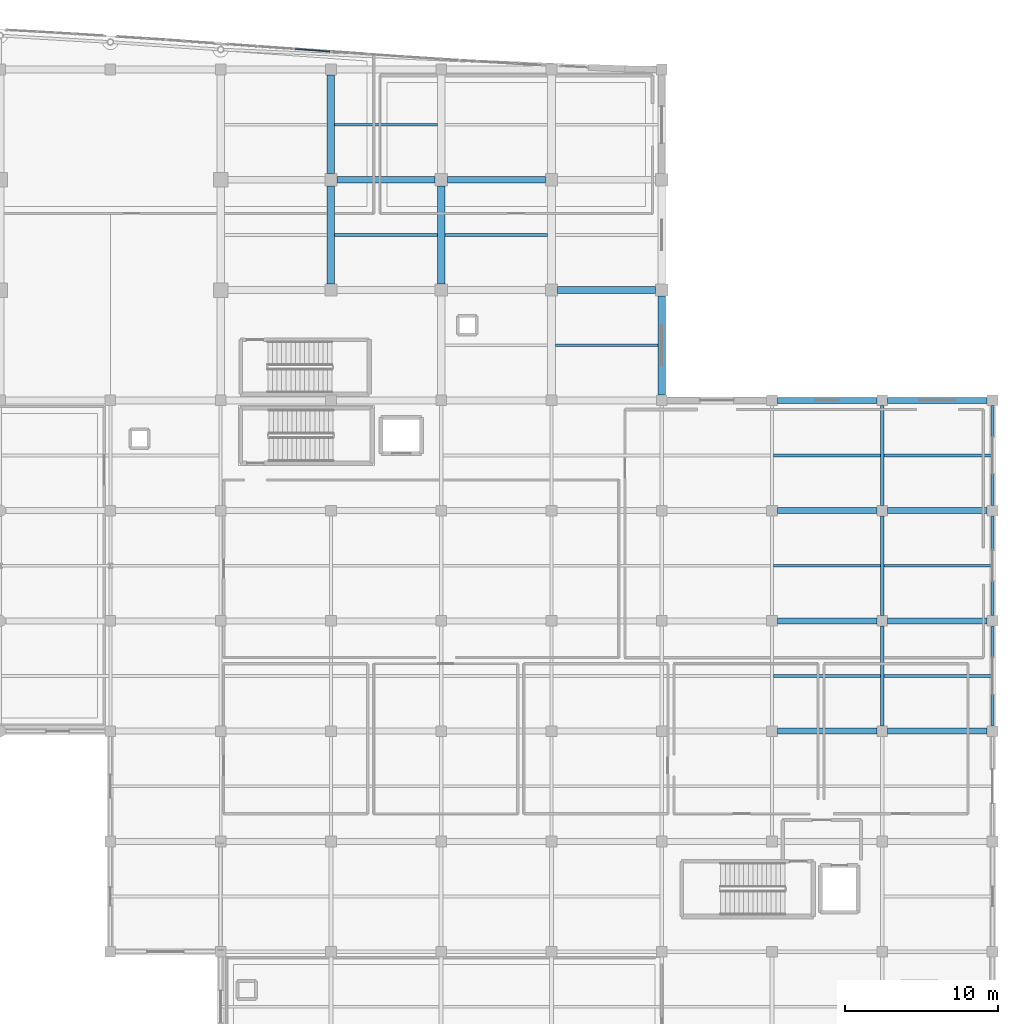
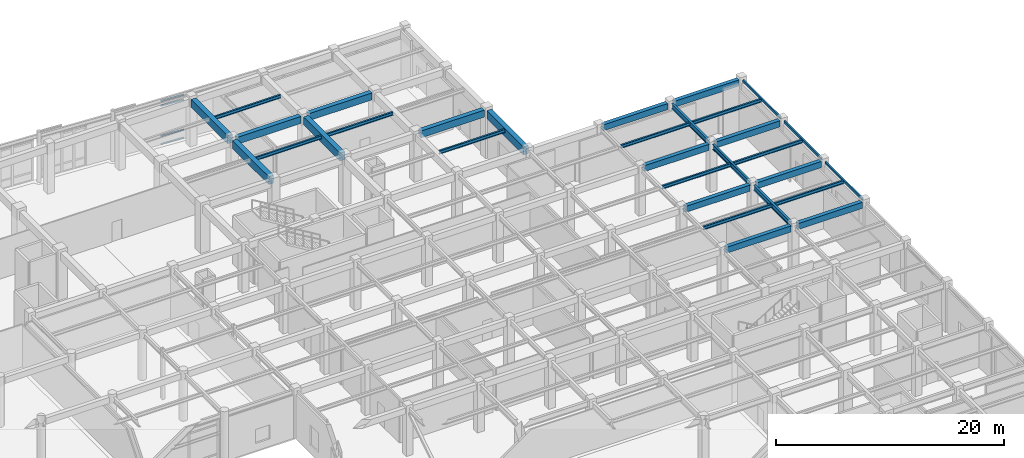
# One storey, part 55 of 102: 31 beams, 4 members, 1 element without a shape of its own.
"""IFC4 building model written with IfcOpenShell, lengths in metres."""

from ifc_helpers import new_model, si_unit, direction, frame, origin, origin_2d, place, context, subcontext, project, spatial, rectangle, hollow_rectangle, i_section, extrude, material, layer, layer_set, material_profile, profile_set, type_object, element, aggregate, save


model = new_model("IFC4")

# Units and contexts
model_context = context("Model", 3, precision=1e-05, world=origin(), true_north=direction((0.0, 1.0)))
body_context = subcontext(model_context, "Body", "Model", "MODEL_VIEW")
ifc_project = project(units=[si_unit("LENGTHUNIT", "METRE"), si_unit("AREAUNIT", "SQUARE_METRE"), si_unit("VOLUMEUNIT", "CUBIC_METRE"), si_unit("PLANEANGLEUNIT", "RADIAN"), si_unit("MASSUNIT", "GRAM", prefix="KILO")], contexts=[model_context])

# Site, building, storey
site_placement = place(None, origin())
site = spatial("IfcSite", under=ifc_project, at=site_placement, CompositionType="ELEMENT")
building_placement = place(site_placement, origin())
building = spatial("IfcBuilding", under=site, at=building_placement, Name="Carrowvane Square Congress Hotel", CompositionType="ELEMENT")
storey_placement = place(building_placement, origin())
storey = spatial("IfcBuildingStorey", under=building, at=storey_placement, Name="L00", CompositionType="ELEMENT", Elevation=0.0)

# Beams
ifc_material_1 = material(Name="Concrete C35/45", Category="concrete")
ifc_material_profile_1 = material_profile(ifc_material_1, rectangle(XDim=0.39990234375, YDim=0.64990234375, at=origin_2d()), Name="RC 400x650")
ifc_profile_set_1 = profile_set([ifc_material_profile_1], Name="Concrete C35/45")
beam_type_1 = type_object("IfcBeamType", Name="BM-RC-400x650", PredefinedType="BEAM", material=ifc_profile_set_1)
for number, where, z_axis, x_axis, name in (
    (1, (170.35009765625, 70.199951171875, 4.77490234375), (1.0, 0.0, 0.0), (0.0, 1.0, 0.0), "L01 girder K/23-24"),
    (2, (177.550048828125, 70.199951171875, 4.77490234375), (1.0, 0.0, 0.0), (0.0, 1.0, 0.0), "L01 girder K/24-25"),
    (3, (170.35009765625, 77.39990234375, 4.77490234375), (1.0, 0.0, 0.0), (0.0, 1.0, 0.0), "L01 girder L/23-24"),
    (4, (177.550048828125, 77.39990234375, 4.77490234375), (1.0, 0.0, 0.0), (0.0, 1.0, 0.0), "L01 girder L/24-25"),
    (5, (170.35009765625, 84.60009765625, 4.77490234375), (1.0, 0.0, 0.0), (0.0, 1.0, 0.0), "L01 girder M/23-24"),
    (6, (177.550048828125, 84.60009765625, 4.77490234375), (1.0, 0.0, 0.0), (0.0, 1.0, 0.0), "L01 girder M/24-25"),
    (7, (170.35009765625, 91.800048828125, 4.77490234375), (1.0, 0.0, 0.0), (0.0, 1.0, 0.0), "L01 girder N/23-24"),
    (8, (177.550048828125, 91.800048828125, 4.77490234375), (1.0, 0.0, 0.0), (0.0, 1.0, 0.0), "L01 girder N/24-25"),
):
    element("IfcBeam", number, at=place(storey_placement, frame(where, z_axis=z_axis, x_axis=x_axis)), inside=storey, type_object=beam_type_1, Name=name, PredefinedType="BEAM", context=body_context, shape_type="SweptSolid", body=[
        extrude(rectangle(XDim=0.39990234375, YDim=0.64990234375, at=origin_2d()), origin(), (0.0, 0.0, 1.0), 6.5),
    ])
ifc_material_2 = material(Name="Concrete C35/45", Category="concrete")
ifc_material_profile_2 = material_profile(ifc_material_2, rectangle(XDim=0.449951171875, YDim=0.75, at=origin_2d()), Name="RC 450x750")
ifc_profile_set_2 = profile_set([ifc_material_profile_2], Name="Concrete C35/45")
beam_type_2 = type_object("IfcBeamType", Name="BM-RC-450x750", PredefinedType="USERDEFINED", material=ifc_profile_set_2)
for number, where, z_axis, x_axis, name in (
    (9, (156.0, 99.0, 4.72509765625), (1.0, 0.0, 0.0), (0.0, 1.0, 0.0), "L01 girder P/21-22"),
    (10, (141.60009765625, 106.199951171875, 4.72509765625), (1.0, 0.0, 0.0), (0.0, 1.0, 0.0), "L01 girder Q/19-20"),
    (11, (148.800048828125, 106.199951171875, 4.72509765625), (1.0, 0.0, 0.0), (0.0, 1.0, 0.0), "L01 girder Q/20-21"),
):
    element("IfcBeam", number, at=place(storey_placement, frame(where, z_axis=z_axis, x_axis=x_axis)), inside=storey, type_object=beam_type_2, Name=name, ObjectType="GIRDER", PredefinedType="USERDEFINED", context=body_context, shape_type="SweptSolid", body=[
        extrude(rectangle(XDim=0.449951171875, YDim=0.75, at=origin_2d()), origin(), (0.0, 0.0, 1.0), 6.39990234375),
    ])
ifc_material_3 = material(Name="Concrete C35/45", Category="concrete")
ifc_material_profile_3 = material_profile(ifc_material_3, rectangle(XDim=0.5, YDim=0.85009765625, at=origin_2d()), Name="RC 500x850")
ifc_profile_set_3 = profile_set([ifc_material_profile_3], Name="Concrete C35/45")
beam_type_3 = type_object("IfcBeamType", Name="BM-RC-500x850", PredefinedType="USERDEFINED", material=ifc_profile_set_3)
beam_1_placement = place(storey_placement, frame((141.199951171875, 99.39990234375, 4.675048828125), z_axis=(0.0, 1.0, 0.0), x_axis=(-1.0, 0.0, 0.0)))
element("IfcBeam", 12, at=beam_1_placement, inside=storey, type_object=beam_type_3, Name="L01 girder 19/P-Q", ObjectType="GIRDER", PredefinedType="USERDEFINED", context=body_context, shape_type="SweptSolid", body=[
    extrude(rectangle(XDim=0.5, YDim=0.85009765625, at=origin_2d()), origin(), (0.0, 0.0, 1.0), 6.400146484375),
])
beam_2_placement = place(storey_placement, frame((141.199951171875, 106.60009765625, 4.675048828125), z_axis=(0.0, 1.0, 0.0), x_axis=(-1.0, 0.0, 0.0)))
element("IfcBeam", 13, at=beam_2_placement, inside=storey, type_object=beam_type_3, Name="L01 girder 19/Q-R", ObjectType="GIRDER", PredefinedType="USERDEFINED", context=body_context, shape_type="SweptSolid", body=[
    extrude(rectangle(XDim=0.5, YDim=0.85009765625, at=origin_2d()), origin(), (0.0, 0.0, 1.0), 6.449951171875),
])
beam_3_placement = place(storey_placement, frame((148.39990234375, 99.39990234375, 4.675048828125), z_axis=(0.0, 1.0, 0.0), x_axis=(-1.0, 0.0, 0.0)))
element("IfcBeam", 14, at=beam_3_placement, inside=storey, type_object=beam_type_3, Name="L01 girder 20/P-Q", ObjectType="GIRDER", PredefinedType="USERDEFINED", context=body_context, shape_type="SweptSolid", body=[
    extrude(rectangle(XDim=0.5, YDim=0.85009765625, at=origin_2d()), origin(), (0.0, 0.0, 1.0), 6.400146484375),
])
beam_4_placement = place(storey_placement, frame((162.800048828125, 92.14990234375, 4.675048828125), z_axis=(0.0, 1.0, 0.0), x_axis=(-1.0, 0.0, 0.0)))
element("IfcBeam", 15, at=beam_4_placement, inside=storey, type_object=beam_type_3, Name="L01 girder 22/N-P", ObjectType="GIRDER", PredefinedType="USERDEFINED", context=body_context, shape_type="SweptSolid", body=[
    extrude(rectangle(XDim=0.5, YDim=0.85009765625, at=origin_2d()), origin(), (0.0, 0.0, 1.0), 6.4501953125),
])
ifc_material_4 = material(Name="Steel S355", Category="steel")
ifc_material_profile_4 = material_profile(ifc_material_4, hollow_rectangle(XDim=0.14990234375, YDim=0.25, WallThickness=0.012451171875, at=origin_2d()), Name="RHS 250x150x12.5")
ifc_profile_set_4 = profile_set([ifc_material_profile_4], Name="Steel S355")
beam_type_4 = type_object("IfcBeamType", Name="BM-ST-RHS250", PredefinedType="SPANDREL", material=ifc_profile_set_4)
for number, where, z_axis, x_axis, name in (
    (16, (184.39990234375, 70.550048828125, 4.97509765625), (0.0, 1.0, 0.0), (-1.0, 0.0, 0.0), "L01 girder 25/K-L"),
    (17, (184.39990234375, 77.75, 4.97509765625), (0.0, 1.0, 0.0), (-1.0, 0.0, 0.0), "L01 girder 25/L-M"),
    (18, (184.39990234375, 84.949951171875, 4.97509765625), (0.0, 1.0, 0.0), (-1.0, 0.0, 0.0), "L01 girder 25/M-N"),
):
    element("IfcBeam", number, at=place(storey_placement, frame(where, z_axis=z_axis, x_axis=x_axis)), inside=storey, type_object=beam_type_4, Name=name, PredefinedType="SPANDREL", context=body_context, shape_type="SweptSolid", body=[
        extrude(hollow_rectangle(XDim=0.14990234375, YDim=0.25, WallThickness=0.012451171875, at=origin_2d()), origin(), (0.0, 0.0, 1.0), 6.5),
    ])
ifc_material_5 = material(Name="Steel S355", Category="steel")
ifc_material_profile_5 = material_profile(ifc_material_5, i_section(OverallWidth=0.172119140625, OverallDepth=0.35791015625, WebThickness=0.008056640625, FlangeThickness=0.012939453125, FilletRadius=0.01025390625, at=origin_2d()), Name="UKB 356x171x57")
ifc_profile_set_5 = profile_set([ifc_material_profile_5], Name="Steel S355")
beam_type_5 = type_object("IfcBeamType", Name="BM-ST-UKB356", PredefinedType="JOIST", material=ifc_profile_set_5)
for number, where, z_axis, x_axis, name in (
    (19, (141.449951171875, 102.60009765625, 4.9208984375), (1.0, 0.0, 0.0), (0.0, 1.0, 0.0), "L01 secondary joist 19-20"),
    (20, (141.449951171875, 109.800048828125, 4.9208984375), (1.0, 0.0, 0.0), (0.0, 1.0, 0.0), "L01 secondary joist 19-20"),
):
    element("IfcBeam", number, at=place(storey_placement, frame(where, z_axis=z_axis, x_axis=x_axis)), inside=storey, type_object=beam_type_5, Name=name, PredefinedType="JOIST", context=body_context, shape_type="SweptSolid", body=[
        extrude(i_section(OverallWidth=0.172119140625, OverallDepth=0.35791015625, WebThickness=0.008056640625, FlangeThickness=0.012939453125, FilletRadius=0.01025390625, at=origin_2d()), origin(), (0.0, 0.0, 1.0), 6.699951171875),
    ])
beam_5_placement = place(storey_placement, frame((148.64990234375, 102.60009765625, 4.9208984375), z_axis=(1.0, 0.0, 0.0), x_axis=(0.0, 1.0, 0.0)))
element("IfcBeam", 21, at=beam_5_placement, inside=storey, type_object=beam_type_5, Name="L01 secondary joist 20-21", PredefinedType="JOIST", context=body_context, shape_type="SweptSolid", body=[
    extrude(i_section(OverallWidth=0.172119140625, OverallDepth=0.35791015625, WebThickness=0.008056640625, FlangeThickness=0.012939453125, FilletRadius=0.01025390625, at=origin_2d()), origin(), (0.0, 0.0, 1.0), 6.7001953125),
])
beam_6_placement = place(storey_placement, frame((155.85009765625, 95.39990234375, 4.9208984375), z_axis=(1.0, 0.0, 0.0), x_axis=(0.0, 1.0, 0.0)))
element("IfcBeam", 22, at=beam_6_placement, inside=storey, type_object=beam_type_5, Name="L01 secondary joist 21-22", PredefinedType="JOIST", context=body_context, shape_type="SweptSolid", body=[
    extrude(i_section(OverallWidth=0.172119140625, OverallDepth=0.35791015625, WebThickness=0.008056640625, FlangeThickness=0.012939453125, FilletRadius=0.01025390625, at=origin_2d()), origin(), (0.0, 0.0, 1.0), 6.699951171875),
])
for number, where, z_axis, x_axis, name in (
    (23, (170.10498046875, 73.800048828125, 4.9208984375), (1.0, 0.0, 0.0), (0.0, 1.0, 0.0), "L01 secondary joist 23-24"),
    (24, (170.10498046875, 81.0, 4.9208984375), (1.0, 0.0, 0.0), (0.0, 1.0, 0.0), "L01 secondary joist 23-24"),
    (25, (170.10498046875, 88.199951171875, 4.9208984375), (1.0, 0.0, 0.0), (0.0, 1.0, 0.0), "L01 secondary joist 23-24"),
):
    element("IfcBeam", number, at=place(storey_placement, frame(where, z_axis=z_axis, x_axis=x_axis)), inside=storey, type_object=beam_type_5, Name=name, PredefinedType="JOIST", context=body_context, shape_type="SweptSolid", body=[
        extrude(i_section(OverallWidth=0.172119140625, OverallDepth=0.35791015625, WebThickness=0.008056640625, FlangeThickness=0.012939453125, FilletRadius=0.01025390625, at=origin_2d()), origin(), (0.0, 0.0, 1.0), 6.989990234375),
    ])
for number, where, z_axis, x_axis, name in (
    (26, (177.304931640625, 73.800048828125, 4.9208984375), (1.0, 0.0, 0.0), (0.0, 1.0, 0.0), "L01 secondary joist 24-25"),
    (27, (177.304931640625, 81.0, 4.9208984375), (1.0, 0.0, 0.0), (0.0, 1.0, 0.0), "L01 secondary joist 24-25"),
    (28, (177.304931640625, 88.199951171875, 4.9208984375), (1.0, 0.0, 0.0), (0.0, 1.0, 0.0), "L01 secondary joist 24-25"),
):
    element("IfcBeam", number, at=place(storey_placement, frame(where, z_axis=z_axis, x_axis=x_axis)), inside=storey, type_object=beam_type_5, Name=name, PredefinedType="JOIST", context=body_context, shape_type="SweptSolid", body=[
        extrude(i_section(OverallWidth=0.172119140625, OverallDepth=0.35791015625, WebThickness=0.008056640625, FlangeThickness=0.012939453125, FilletRadius=0.01025390625, at=origin_2d()), origin(), (0.0, 0.0, 1.0), 7.02001953125),
    ])
ifc_material_6 = material(Name="Steel S355", Category="steel")
ifc_material_profile_6 = material_profile(ifc_material_6, i_section(OverallWidth=0.2099609375, OverallDepth=0.53662109375, WebThickness=0.0107421875, FlangeThickness=0.017333984375, FilletRadius=0.0126953125, at=origin_2d()), Name="UKB 533x210x101")
ifc_profile_set_6 = profile_set([ifc_material_profile_6], Name="Steel S355")
beam_type_6 = type_object("IfcBeamType", Name="BM-ST-UKB533", PredefinedType="USERDEFINED", material=ifc_profile_set_6)
for number, where, z_axis, x_axis, name in (
    (29, (177.199951171875, 70.550048828125, 4.83154296875), (0.0, 1.0, 0.0), (-1.0, 0.0, 0.0), "L01 girder 24/K-L"),
    (30, (177.199951171875, 77.75, 4.83154296875), (0.0, 1.0, 0.0), (-1.0, 0.0, 0.0), "L01 girder 24/L-M"),
    (31, (177.199951171875, 84.949951171875, 4.83154296875), (0.0, 1.0, 0.0), (-1.0, 0.0, 0.0), "L01 girder 24/M-N"),
):
    element("IfcBeam", number, at=place(storey_placement, frame(where, z_axis=z_axis, x_axis=x_axis)), inside=storey, type_object=beam_type_6, Name=name, ObjectType="GIRDER", PredefinedType="USERDEFINED", context=body_context, shape_type="SweptSolid", body=[
        extrude(i_section(OverallWidth=0.2099609375, OverallDepth=0.53662109375, WebThickness=0.0107421875, FlangeThickness=0.017333984375, FilletRadius=0.0126953125, at=origin_2d()), origin(), (0.0, 0.0, 1.0), 6.5),
    ])

# Curtain wall, members
ifc_material_7 = material(Name="Anodised aluminium", Category="aluminium")
ifc_layer = layer(ifc_material_7, 0.197998046875)
ifc_layer_set = layer_set([ifc_layer], Name="Anodised aluminium")
curtain_wall_type = type_object("IfcCurtainWallType", Name="CW-SYS-4", PredefinedType="NOTDEFINED", material=ifc_layer_set)
curtain_wall_placement = place(storey_placement, origin())
curtain_wall = element("IfcCurtainWall", 32, at=curtain_wall_placement, inside=storey, type_object=curtain_wall_type, Name="L00 unitised curtain wall 43", PredefinedType="NOTDEFINED")
ifc_material_8 = material(Name="Anodised aluminium", Category="aluminium")
ifc_material_profile_7 = material_profile(ifc_material_8, hollow_rectangle(XDim=0.070068359375, YDim=0.14990234375, WallThickness=0.0048828125, at=origin_2d()), Name="CW-TR 70x150x5")
ifc_profile_set_7 = profile_set([ifc_material_profile_7], Name="Anodised aluminium")
member_type = type_object("IfcMemberType", Name="CW-TRN-2", PredefinedType="USERDEFINED", material=ifc_profile_set_7)
member_1_placement = place(storey_placement, frame((138.869873046875, 114.738037109375, 0.034912109375), z_axis=(0.997445557369, -0.071430806279, 0.0), x_axis=(0.071430806279, 0.997445557369, 0.0)))
member_1 = element("IfcMember", 33, at=member_1_placement, type_object=member_type, Name="CW-4 transom 1.1", ObjectType="TRANSOM", PredefinedType="USERDEFINED", context=body_context, shape_type="SweptSolid", body=[
    extrude(hollow_rectangle(XDim=0.070068359375, YDim=0.14990234375, WallThickness=0.0048828125, at=origin_2d()), origin(), (0.0, 0.0, 1.0), 2.26611328125),
])
member_2_placement = place(storey_placement, frame((138.869873046875, 114.738037109375, 0.89990234375), z_axis=(0.997445557369, -0.071430806279, 0.0), x_axis=(0.071430806279, 0.997445557369, 0.0)))
member_2 = element("IfcMember", 34, at=member_2_placement, type_object=member_type, Name="CW-4 transom 1.2", ObjectType="TRANSOM", PredefinedType="USERDEFINED", context=body_context, shape_type="SweptSolid", body=[
    extrude(hollow_rectangle(XDim=0.070068359375, YDim=0.14990234375, WallThickness=0.0048828125, at=origin_2d()), origin(), (0.0, 0.0, 1.0), 2.26611328125),
])
member_3_placement = place(storey_placement, frame((138.869873046875, 114.738037109375, 4.12548828125), z_axis=(0.997445557369, -0.071430806279, 0.0), x_axis=(0.071430806279, 0.997445557369, 0.0)))
member_3 = element("IfcMember", 35, at=member_3_placement, type_object=member_type, Name="CW-4 transom 1.3", ObjectType="TRANSOM", PredefinedType="USERDEFINED", context=body_context, shape_type="SweptSolid", body=[
    extrude(hollow_rectangle(XDim=0.070068359375, YDim=0.14990234375, WallThickness=0.0048828125, at=origin_2d()), origin(), (0.0, 0.0, 1.0), 2.26611328125),
])
member_4_placement = place(storey_placement, frame((138.869873046875, 114.738037109375, 4.640625), z_axis=(0.997445557369, -0.071430806279, 0.0), x_axis=(0.071430806279, 0.997445557369, 0.0)))
member_4 = element("IfcMember", 36, at=member_4_placement, type_object=member_type, Name="CW-4 transom 1.4", ObjectType="TRANSOM", PredefinedType="USERDEFINED", context=body_context, shape_type="SweptSolid", body=[
    extrude(hollow_rectangle(XDim=0.070068359375, YDim=0.14990234375, WallThickness=0.0048828125, at=origin_2d()), origin(), (0.0, 0.0, 1.0), 2.26611328125),
])
aggregate(curtain_wall, [member_1, member_2, member_3, member_4])

save(model, "model.ifc")
